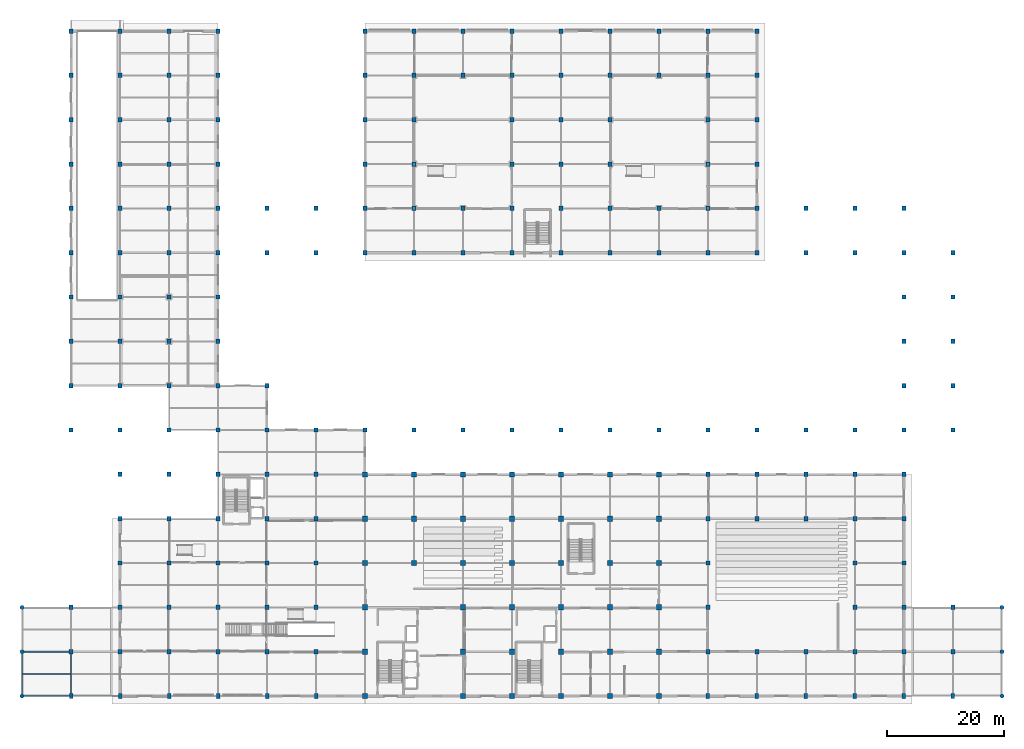
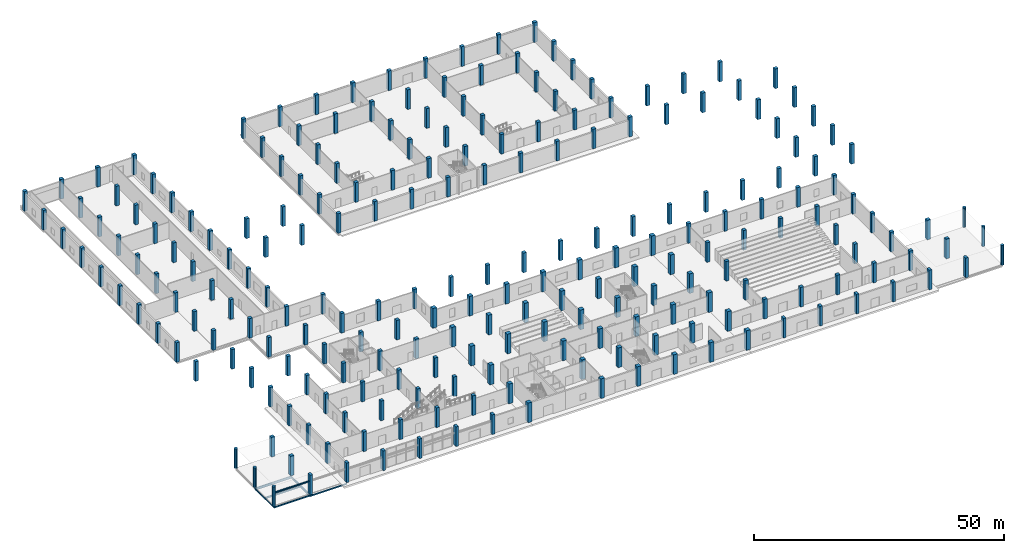
# One storey, part 1 of 36: 230 columns, 7 beams.
"""IFC4 building model written with IfcOpenShell, lengths in metres."""

from ifc_helpers import new_model, si_unit, direction, frame, origin, origin_2d, place, context, subcontext, project, spatial, rectangle, hollow_rectangle, circle, i_section, extrude, material, material_profile, profile_set, type_object, element, save


model = new_model("IFC4")

# Units and contexts
model_context = context("Model", 3, precision=1e-05, world=origin(), true_north=direction((0.0, 1.0)))
body_context = subcontext(model_context, "Body", "Model", "MODEL_VIEW")
ifc_project = project(units=[si_unit("LENGTHUNIT", "METRE"), si_unit("AREAUNIT", "SQUARE_METRE"), si_unit("VOLUMEUNIT", "CUBIC_METRE"), si_unit("PLANEANGLEUNIT", "RADIAN"), si_unit("MASSUNIT", "GRAM", prefix="KILO")], contexts=[model_context])

# Site, building, storey
site_placement = place(None, origin())
site = spatial("IfcSite", under=ifc_project, at=site_placement, CompositionType="ELEMENT")
building_placement = place(site_placement, origin())
building = spatial("IfcBuilding", under=site, at=building_placement, Name="Zuvorla Pavilion Media Centre", CompositionType="ELEMENT")
storey_placement = place(building_placement, origin())
storey = spatial("IfcBuildingStorey", under=building, at=storey_placement, Name="L00", CompositionType="ELEMENT", Elevation=0.0)

# Columns
ifc_material_1 = material(Name="Concrete C40/50", Category="concrete")
ifc_material_profile_1 = material_profile(ifc_material_1, rectangle(XDim=0.60009765625, YDim=0.89990234375, at=origin_2d()), Name="RC 600x900")
ifc_profile_set_1 = profile_set([ifc_material_profile_1], Name="Concrete C40/50")
column_type_1 = type_object("IfcColumnType", Name="COL-PIL600", PredefinedType="PILASTER", material=ifc_profile_set_1)
for number, where, z_axis, x_axis, name in (
    (1, (16.39990234375, 6.0, 0.0), (0.0, 0.0, 1.0), (1.0, 0.0, 0.0), "L00 column C07 4"),
    (2, (24.800048828125, 6.0, 0.0), (0.0, 0.0, 1.0), (1.0, 0.0, 0.0), "L00 column C07 6"),
    (3, (33.199951171875, 6.0, 0.0), (0.0, 0.0, 1.0), (1.0, 0.0, 0.0), "L00 column C07 8"),
    (4, (41.60009765625, 6.0, 0.0), (0.0, 0.0, 1.0), (1.0, 0.0, 0.0), "L00 column C07 11"),
    (5, (50.0, 6.0, 0.0), (0.0, 0.0, 1.0), (1.0, 0.0, 0.0), "L00 column C07 16"),
    (6, (58.39990234375, 6.0, 0.0), (0.0, 0.0, 1.0), (1.0, 0.0, 0.0), "L00 column C07 21"),
    (7, (125.60009765625, 6.0, 0.0), (0.0, 0.0, 1.0), (1.0, 0.0, 0.0), "L00 column C07 71"),
    (8, (134.0, 6.0, 0.0), (0.0, 0.0, 1.0), (1.0, 0.0, 0.0), "L00 column C07 76"),
    (9, (142.39990234375, 6.0, 0.0), (0.0, 0.0, 1.0), (1.0, 0.0, 0.0), "L00 column C07 81"),
    (10, (150.800048828125, 6.0, 0.0), (0.0, 0.0, 1.0), (1.0, 0.0, 0.0), "L00 column C07 86"),
    (11, (159.199951171875, 6.0, 0.0), (0.0, 0.0, 1.0), (1.0, 0.0, 0.0), "L00 column C07 91"),
    (12, (167.60009765625, 6.0, 0.0), (0.0, 0.0, 1.0), (1.0, 0.0, 0.0), "L00 column C07 96"),
):
    element("IfcColumn", number, at=place(storey_placement, frame(where, z_axis=z_axis, x_axis=x_axis)), inside=storey, type_object=column_type_1, Name=name, PredefinedType="PILASTER", context=body_context, shape_type="SweptSolid", body=[
        extrude(rectangle(XDim=0.60009765625, YDim=0.89990234375, at=origin_2d()), origin(), (0.0, 0.0, 1.0), 4.800048828125),
    ])
ifc_material_profile_2 = material_profile(ifc_material_1, rectangle(XDim=0.75, YDim=0.75, at=origin_2d()), Name="RC 750x750")
ifc_profile_set_2 = profile_set([ifc_material_profile_2], Name="Concrete C40/50")
column_type_2 = type_object("IfcColumnType", Name="COL-RC750", PredefinedType="COLUMN", material=ifc_profile_set_2)
for number, where, z_axis, x_axis, name in (
    (13, (16.39990234375, 13.60009765625, 0.0), (0.0, 0.0, 1.0), (1.0, 0.0, 0.0), "L00 column C02 102"),
    (14, (24.800048828125, 13.60009765625, 0.0), (0.0, 0.0, 1.0), (1.0, 0.0, 0.0), "L00 column C02 104"),
    (15, (33.199951171875, 13.60009765625, 0.0), (0.0, 0.0, 1.0), (1.0, 0.0, 0.0), "L00 column C02 106"),
    (16, (41.60009765625, 13.60009765625, 0.0), (0.0, 0.0, 1.0), (1.0, 0.0, 0.0), "L00 column C02 109"),
    (17, (50.0, 13.60009765625, 0.0), (0.0, 0.0, 1.0), (1.0, 0.0, 0.0), "L00 column C02 114"),
    (18, (58.39990234375, 13.60009765625, 0.0), (0.0, 0.0, 1.0), (1.0, 0.0, 0.0), "L00 column C02 119"),
    (19, (125.60009765625, 13.60009765625, 0.0), (0.0, 0.0, 1.0), (1.0, 0.0, 0.0), "L00 column C02 169"),
    (20, (134.0, 13.60009765625, 0.0), (0.0, 0.0, 1.0), (1.0, 0.0, 0.0), "L00 column C02 174"),
    (21, (142.39990234375, 13.60009765625, 0.0), (0.0, 0.0, 1.0), (1.0, 0.0, 0.0), "L00 column C02 179"),
    (22, (150.800048828125, 13.60009765625, 0.0), (0.0, 0.0, 1.0), (1.0, 0.0, 0.0), "L00 column C02 184"),
    (23, (159.199951171875, 13.60009765625, 0.0), (0.0, 0.0, 1.0), (1.0, 0.0, 0.0), "L00 column C02 189"),
    (24, (167.60009765625, 13.60009765625, 0.0), (0.0, 0.0, 1.0), (1.0, 0.0, 0.0), "L00 column C02 194"),
    (25, (16.39990234375, 21.199951171875, 0.0), (0.0, 0.0, 1.0), (1.0, 0.0, 0.0), "L00 column C02 200"),
    (26, (24.800048828125, 21.199951171875, 0.0), (0.0, 0.0, 1.0), (1.0, 0.0, 0.0), "L00 column C02 202"),
    (27, (33.199951171875, 21.199951171875, 0.0), (0.0, 0.0, 1.0), (1.0, 0.0, 0.0), "L00 column C02 204"),
    (28, (41.60009765625, 21.199951171875, 0.0), (0.0, 0.0, 1.0), (1.0, 0.0, 0.0), "L00 column C02 207"),
    (29, (50.0, 21.199951171875, 0.0), (0.0, 0.0, 1.0), (1.0, 0.0, 0.0), "L00 column C02 213"),
    (30, (58.39990234375, 21.199951171875, 0.0), (0.0, 0.0, 1.0), (1.0, 0.0, 0.0), "L00 column C02 219"),
    (31, (125.60009765625, 21.199951171875, 0.0), (0.0, 0.0, 1.0), (1.0, 0.0, 0.0), "L00 column C02 270"),
    (32, (150.800048828125, 21.199951171875, 0.0), (0.0, 0.0, 1.0), (1.0, 0.0, 0.0), "L00 column C02 275"),
    (33, (159.199951171875, 21.199951171875, 0.0), (0.0, 0.0, 1.0), (1.0, 0.0, 0.0), "L00 column C02 280"),
    (34, (167.60009765625, 21.199951171875, 0.0), (0.0, 0.0, 1.0), (1.0, 0.0, 0.0), "L00 column C02 285"),
    (35, (24.800048828125, 28.800048828125, 0.0), (0.0, 0.0, 1.0), (1.0, 0.0, 0.0), "L00 column C02 289"),
    (36, (33.199951171875, 28.800048828125, 0.0), (0.0, 0.0, 1.0), (1.0, 0.0, 0.0), "L00 column C02 291"),
    (37, (41.60009765625, 28.800048828125, 0.0), (0.0, 0.0, 1.0), (1.0, 0.0, 0.0), "L00 column C02 294"),
    (38, (50.0, 28.800048828125, 0.0), (0.0, 0.0, 1.0), (1.0, 0.0, 0.0), "L00 column C02 300"),
    (39, (58.39990234375, 28.800048828125, 0.0), (0.0, 0.0, 1.0), (1.0, 0.0, 0.0), "L00 column C02 306"),
    (40, (125.60009765625, 28.800048828125, 0.0), (0.0, 0.0, 1.0), (1.0, 0.0, 0.0), "L00 column C02 365"),
    (41, (150.800048828125, 28.800048828125, 0.0), (0.0, 0.0, 1.0), (1.0, 0.0, 0.0), "L00 column C02 370"),
    (42, (159.199951171875, 28.800048828125, 0.0), (0.0, 0.0, 1.0), (1.0, 0.0, 0.0), "L00 column C02 375"),
    (43, (24.800048828125, 36.39990234375, 0.0), (0.0, 0.0, 1.0), (1.0, 0.0, 0.0), "L00 column C02 380"),
    (44, (33.199951171875, 36.39990234375, 0.0), (0.0, 0.0, 1.0), (1.0, 0.0, 0.0), "L00 column C02 382"),
    (45, (41.60009765625, 36.39990234375, 0.0), (0.0, 0.0, 1.0), (1.0, 0.0, 0.0), "L00 column C02 384"),
    (46, (50.0, 36.39990234375, 0.0), (0.0, 0.0, 1.0), (1.0, 0.0, 0.0), "L00 column C02 390"),
    (47, (58.39990234375, 36.39990234375, 0.0), (0.0, 0.0, 1.0), (1.0, 0.0, 0.0), "L00 column C02 396"),
    (48, (125.60009765625, 36.39990234375, 0.0), (0.0, 0.0, 1.0), (1.0, 0.0, 0.0), "L00 column C02 455"),
    (49, (134.0, 36.39990234375, 0.0), (0.0, 0.0, 1.0), (1.0, 0.0, 0.0), "L00 column C02 460"),
    (50, (142.39990234375, 36.39990234375, 0.0), (0.0, 0.0, 1.0), (1.0, 0.0, 0.0), "L00 column C02 465"),
    (51, (150.800048828125, 36.39990234375, 0.0), (0.0, 0.0, 1.0), (1.0, 0.0, 0.0), "L00 column C02 470"),
    (52, (159.199951171875, 36.39990234375, 0.0), (0.0, 0.0, 1.0), (1.0, 0.0, 0.0), "L00 column C02 475"),
    (53, (24.800048828125, 44.0, 0.0), (0.0, 0.0, 1.0), (1.0, 0.0, 0.0), "L00 column C02 480"),
    (54, (33.199951171875, 44.0, 0.0), (0.0, 0.0, 1.0), (1.0, 0.0, 0.0), "L00 column C02 485"),
    (55, (41.60009765625, 44.0, 0.0), (0.0, 0.0, 1.0), (1.0, 0.0, 0.0), "L00 column C02 490"),
    (56, (50.0, 44.0, 0.0), (0.0, 0.0, 1.0), (1.0, 0.0, 0.0), "L00 column C02 496"),
    (57, (58.39990234375, 44.0, 0.0), (0.0, 0.0, 1.0), (1.0, 0.0, 0.0), "L00 column C02 502"),
    (58, (125.60009765625, 44.0, 0.0), (0.0, 0.0, 1.0), (1.0, 0.0, 0.0), "L00 column C02 549"),
    (59, (134.0, 44.0, 0.0), (0.0, 0.0, 1.0), (1.0, 0.0, 0.0), "L00 column C02 554"),
    (60, (142.39990234375, 44.0, 0.0), (0.0, 0.0, 1.0), (1.0, 0.0, 0.0), "L00 column C02 559"),
    (61, (150.800048828125, 44.0, 0.0), (0.0, 0.0, 1.0), (1.0, 0.0, 0.0), "L00 column C02 564"),
    (62, (159.199951171875, 44.0, 0.0), (0.0, 0.0, 1.0), (1.0, 0.0, 0.0), "L00 column C02 569"),
    (63, (16.39990234375, 51.60009765625, 0.0), (0.0, 0.0, 1.0), (1.0, 0.0, 0.0), "L00 column C02 574"),
    (64, (24.800048828125, 51.60009765625, 0.0), (0.0, 0.0, 1.0), (1.0, 0.0, 0.0), "L00 column C02 579"),
    (65, (33.199951171875, 51.60009765625, 0.0), (0.0, 0.0, 1.0), (1.0, 0.0, 0.0), "L00 column C02 584"),
    (66, (41.60009765625, 51.60009765625, 0.0), (0.0, 0.0, 1.0), (1.0, 0.0, 0.0), "L00 column C02 589"),
    (67, (50.0, 51.60009765625, 0.0), (0.0, 0.0, 1.0), (1.0, 0.0, 0.0), "L00 column C02 594"),
    (68, (58.39990234375, 51.60009765625, 0.0), (0.0, 0.0, 1.0), (1.0, 0.0, 0.0), "L00 column C02 599"),
    (69, (66.800048828125, 51.60009765625, 0.0), (0.0, 0.0, 1.0), (1.0, 0.0, 0.0), "L00 column C02 604"),
    (70, (75.199951171875, 51.60009765625, 0.0), (0.0, 0.0, 1.0), (1.0, 0.0, 0.0), "L00 column C02 609"),
    (71, (83.60009765625, 51.60009765625, 0.0), (0.0, 0.0, 1.0), (1.0, 0.0, 0.0), "L00 column C02 614"),
    (72, (92.0, 51.60009765625, 0.0), (0.0, 0.0, 1.0), (1.0, 0.0, 0.0), "L00 column C02 619"),
    (73, (100.39990234375, 51.60009765625, 0.0), (0.0, 0.0, 1.0), (1.0, 0.0, 0.0), "L00 column C02 624"),
    (74, (108.800048828125, 51.60009765625, 0.0), (0.0, 0.0, 1.0), (1.0, 0.0, 0.0), "L00 column C02 629"),
    (75, (117.199951171875, 51.60009765625, 0.0), (0.0, 0.0, 1.0), (1.0, 0.0, 0.0), "L00 column C02 634"),
    (76, (125.60009765625, 51.60009765625, 0.0), (0.0, 0.0, 1.0), (1.0, 0.0, 0.0), "L00 column C02 639"),
    (77, (134.0, 51.60009765625, 0.0), (0.0, 0.0, 1.0), (1.0, 0.0, 0.0), "L00 column C02 644"),
    (78, (142.39990234375, 51.60009765625, 0.0), (0.0, 0.0, 1.0), (1.0, 0.0, 0.0), "L00 column C02 649"),
    (79, (150.800048828125, 51.60009765625, 0.0), (0.0, 0.0, 1.0), (1.0, 0.0, 0.0), "L00 column C02 654"),
    (80, (159.199951171875, 51.60009765625, 0.0), (0.0, 0.0, 1.0), (1.0, 0.0, 0.0), "L00 column C02 659"),
    (81, (167.60009765625, 51.60009765625, 0.0), (0.0, 0.0, 1.0), (1.0, 0.0, 0.0), "L00 column C02 664"),
    (82, (16.39990234375, 59.199951171875, 0.0), (0.0, 0.0, 1.0), (1.0, 0.0, 0.0), "L00 column C02 669"),
    (83, (24.800048828125, 59.199951171875, 0.0), (0.0, 0.0, 1.0), (1.0, 0.0, 0.0), "L00 column C02 674"),
    (84, (33.199951171875, 59.199951171875, 0.0), (0.0, 0.0, 1.0), (1.0, 0.0, 0.0), "L00 column C02 679"),
    (85, (41.60009765625, 59.199951171875, 0.0), (0.0, 0.0, 1.0), (1.0, 0.0, 0.0), "L00 column C02 681"),
    (86, (50.0, 59.199951171875, 0.0), (0.0, 0.0, 1.0), (1.0, 0.0, 0.0), "L00 column C02 683"),
    (87, (159.199951171875, 59.199951171875, 0.0), (0.0, 0.0, 1.0), (1.0, 0.0, 0.0), "L00 column C02 685"),
    (88, (167.60009765625, 59.199951171875, 0.0), (0.0, 0.0, 1.0), (1.0, 0.0, 0.0), "L00 column C02 690"),
    (89, (16.39990234375, 66.800048828125, 0.0), (0.0, 0.0, 1.0), (1.0, 0.0, 0.0), "L00 column C02 695"),
    (90, (24.800048828125, 66.800048828125, 0.0), (0.0, 0.0, 1.0), (1.0, 0.0, 0.0), "L00 column C02 700"),
    (91, (33.199951171875, 66.800048828125, 0.0), (0.0, 0.0, 1.0), (1.0, 0.0, 0.0), "L00 column C02 705"),
    (92, (41.60009765625, 66.800048828125, 0.0), (0.0, 0.0, 1.0), (1.0, 0.0, 0.0), "L00 column C02 707"),
    (93, (159.199951171875, 66.800048828125, 0.0), (0.0, 0.0, 1.0), (1.0, 0.0, 0.0), "L00 column C02 709"),
    (94, (167.60009765625, 66.800048828125, 0.0), (0.0, 0.0, 1.0), (1.0, 0.0, 0.0), "L00 column C02 714"),
    (95, (16.39990234375, 74.39990234375, 0.0), (0.0, 0.0, 1.0), (1.0, 0.0, 0.0), "L00 column C02 719"),
    (96, (24.800048828125, 74.39990234375, 0.0), (0.0, 0.0, 1.0), (1.0, 0.0, 0.0), "L00 column C02 724"),
    (97, (33.199951171875, 74.39990234375, 0.0), (0.0, 0.0, 1.0), (1.0, 0.0, 0.0), "L00 column C02 729"),
    (98, (41.60009765625, 74.39990234375, 0.0), (0.0, 0.0, 1.0), (1.0, 0.0, 0.0), "L00 column C02 731"),
    (99, (159.199951171875, 74.39990234375, 0.0), (0.0, 0.0, 1.0), (1.0, 0.0, 0.0), "L00 column C02 733"),
    (100, (167.60009765625, 74.39990234375, 0.0), (0.0, 0.0, 1.0), (1.0, 0.0, 0.0), "L00 column C02 738"),
    (101, (16.39990234375, 82.0, 0.0), (0.0, 0.0, 1.0), (1.0, 0.0, 0.0), "L00 column C02 743"),
    (102, (24.800048828125, 82.0, 0.0), (0.0, 0.0, 1.0), (1.0, 0.0, 0.0), "L00 column C02 748"),
    (103, (33.199951171875, 82.0, 0.0), (0.0, 0.0, 1.0), (1.0, 0.0, 0.0), "L00 column C02 753"),
    (104, (41.60009765625, 82.0, 0.0), (0.0, 0.0, 1.0), (1.0, 0.0, 0.0), "L00 column C02 758"),
    (105, (50.0, 82.0, 0.0), (0.0, 0.0, 1.0), (1.0, 0.0, 0.0), "L00 column C02 763"),
    (106, (58.39990234375, 82.0, 0.0), (0.0, 0.0, 1.0), (1.0, 0.0, 0.0), "L00 column C02 768"),
    (107, (66.800048828125, 82.0, 0.0), (0.0, 0.0, 1.0), (1.0, 0.0, 0.0), "L00 column C02 773"),
    (108, (75.199951171875, 82.0, 0.0), (0.0, 0.0, 1.0), (1.0, 0.0, 0.0), "L00 column C02 778"),
    (109, (83.60009765625, 82.0, 0.0), (0.0, 0.0, 1.0), (1.0, 0.0, 0.0), "L00 column C02 783"),
    (110, (92.0, 82.0, 0.0), (0.0, 0.0, 1.0), (1.0, 0.0, 0.0), "L00 column C02 788"),
    (111, (100.39990234375, 82.0, 0.0), (0.0, 0.0, 1.0), (1.0, 0.0, 0.0), "L00 column C02 793"),
    (112, (108.800048828125, 82.0, 0.0), (0.0, 0.0, 1.0), (1.0, 0.0, 0.0), "L00 column C02 798"),
    (113, (117.199951171875, 82.0, 0.0), (0.0, 0.0, 1.0), (1.0, 0.0, 0.0), "L00 column C02 803"),
    (114, (125.60009765625, 82.0, 0.0), (0.0, 0.0, 1.0), (1.0, 0.0, 0.0), "L00 column C02 808"),
    (115, (134.0, 82.0, 0.0), (0.0, 0.0, 1.0), (1.0, 0.0, 0.0), "L00 column C02 813"),
    (116, (142.39990234375, 82.0, 0.0), (0.0, 0.0, 1.0), (1.0, 0.0, 0.0), "L00 column C02 818"),
    (117, (150.800048828125, 82.0, 0.0), (0.0, 0.0, 1.0), (1.0, 0.0, 0.0), "L00 column C02 823"),
    (118, (159.199951171875, 82.0, 0.0), (0.0, 0.0, 1.0), (1.0, 0.0, 0.0), "L00 column C02 828"),
    (119, (167.60009765625, 82.0, 0.0), (0.0, 0.0, 1.0), (1.0, 0.0, 0.0), "L00 column C02 833"),
    (120, (16.39990234375, 89.60009765625, 0.0), (0.0, 0.0, 1.0), (1.0, 0.0, 0.0), "L00 column C02 838"),
    (121, (24.800048828125, 89.60009765625, 0.0), (0.0, 0.0, 1.0), (1.0, 0.0, 0.0), "L00 column C02 840"),
    (122, (33.199951171875, 89.60009765625, 0.0), (0.0, 0.0, 1.0), (1.0, 0.0, 0.0), "L00 column C02 845"),
    (123, (41.60009765625, 89.60009765625, 0.0), (0.0, 0.0, 1.0), (1.0, 0.0, 0.0), "L00 column C02 850"),
    (124, (50.0, 89.60009765625, 0.0), (0.0, 0.0, 1.0), (1.0, 0.0, 0.0), "L00 column C02 855"),
    (125, (58.39990234375, 89.60009765625, 0.0), (0.0, 0.0, 1.0), (1.0, 0.0, 0.0), "L00 column C02 860"),
    (126, (66.800048828125, 89.60009765625, 0.0), (0.0, 0.0, 1.0), (1.0, 0.0, 0.0), "L00 column C02 865"),
    (127, (75.199951171875, 89.60009765625, 0.0), (0.0, 0.0, 1.0), (1.0, 0.0, 0.0), "L00 column C02 870"),
    (128, (83.60009765625, 89.60009765625, 0.0), (0.0, 0.0, 1.0), (1.0, 0.0, 0.0), "L00 column C02 875"),
    (129, (92.0, 89.60009765625, 0.0), (0.0, 0.0, 1.0), (1.0, 0.0, 0.0), "L00 column C02 880"),
    (130, (100.39990234375, 89.60009765625, 0.0), (0.0, 0.0, 1.0), (1.0, 0.0, 0.0), "L00 column C02 885"),
    (131, (108.800048828125, 89.60009765625, 0.0), (0.0, 0.0, 1.0), (1.0, 0.0, 0.0), "L00 column C02 890"),
    (132, (117.199951171875, 89.60009765625, 0.0), (0.0, 0.0, 1.0), (1.0, 0.0, 0.0), "L00 column C02 895"),
    (133, (125.60009765625, 89.60009765625, 0.0), (0.0, 0.0, 1.0), (1.0, 0.0, 0.0), "L00 column C02 900"),
    (134, (134.0, 89.60009765625, 0.0), (0.0, 0.0, 1.0), (1.0, 0.0, 0.0), "L00 column C02 905"),
    (135, (142.39990234375, 89.60009765625, 0.0), (0.0, 0.0, 1.0), (1.0, 0.0, 0.0), "L00 column C02 910"),
    (136, (150.800048828125, 89.60009765625, 0.0), (0.0, 0.0, 1.0), (1.0, 0.0, 0.0), "L00 column C02 915"),
    (137, (159.199951171875, 89.60009765625, 0.0), (0.0, 0.0, 1.0), (1.0, 0.0, 0.0), "L00 column C02 920"),
    (138, (16.39990234375, 97.199951171875, 0.0), (0.0, 0.0, 1.0), (1.0, 0.0, 0.0), "L00 column C02 925"),
    (139, (24.800048828125, 97.199951171875, 0.0), (0.0, 0.0, 1.0), (1.0, 0.0, 0.0), "L00 column C02 927"),
    (140, (33.199951171875, 97.199951171875, 0.0), (0.0, 0.0, 1.0), (1.0, 0.0, 0.0), "L00 column C02 929"),
    (141, (41.60009765625, 97.199951171875, 0.0), (0.0, 0.0, 1.0), (1.0, 0.0, 0.0), "L00 column C02 931"),
    (142, (66.800048828125, 97.199951171875, 0.0), (0.0, 0.0, 1.0), (1.0, 0.0, 0.0), "L00 column C02 933"),
    (143, (75.199951171875, 97.199951171875, 0.0), (0.0, 0.0, 1.0), (1.0, 0.0, 0.0), "L00 column C02 936"),
    (144, (92.0, 97.199951171875, 0.0), (0.0, 0.0, 1.0), (1.0, 0.0, 0.0), "L00 column C02 939"),
    (145, (100.39990234375, 97.199951171875, 0.0), (0.0, 0.0, 1.0), (1.0, 0.0, 0.0), "L00 column C02 942"),
    (146, (108.800048828125, 97.199951171875, 0.0), (0.0, 0.0, 1.0), (1.0, 0.0, 0.0), "L00 column C02 945"),
    (147, (125.60009765625, 97.199951171875, 0.0), (0.0, 0.0, 1.0), (1.0, 0.0, 0.0), "L00 column C02 948"),
    (148, (134.0, 97.199951171875, 0.0), (0.0, 0.0, 1.0), (1.0, 0.0, 0.0), "L00 column C02 951"),
    (149, (16.39990234375, 104.800048828125, 0.0), (0.0, 0.0, 1.0), (1.0, 0.0, 0.0), "L00 column C02 954"),
    (150, (24.800048828125, 104.800048828125, 0.0), (0.0, 0.0, 1.0), (1.0, 0.0, 0.0), "L00 column C02 956"),
    (151, (33.199951171875, 104.800048828125, 0.0), (0.0, 0.0, 1.0), (1.0, 0.0, 0.0), "L00 column C02 958"),
    (152, (41.60009765625, 104.800048828125, 0.0), (0.0, 0.0, 1.0), (1.0, 0.0, 0.0), "L00 column C02 960"),
    (153, (66.800048828125, 104.800048828125, 0.0), (0.0, 0.0, 1.0), (1.0, 0.0, 0.0), "L00 column C02 962"),
    (154, (75.199951171875, 104.800048828125, 0.0), (0.0, 0.0, 1.0), (1.0, 0.0, 0.0), "L00 column C02 965"),
    (155, (92.0, 104.800048828125, 0.0), (0.0, 0.0, 1.0), (1.0, 0.0, 0.0), "L00 column C02 968"),
    (156, (100.39990234375, 104.800048828125, 0.0), (0.0, 0.0, 1.0), (1.0, 0.0, 0.0), "L00 column C02 971"),
    (157, (108.800048828125, 104.800048828125, 0.0), (0.0, 0.0, 1.0), (1.0, 0.0, 0.0), "L00 column C02 974"),
    (158, (125.60009765625, 104.800048828125, 0.0), (0.0, 0.0, 1.0), (1.0, 0.0, 0.0), "L00 column C02 977"),
    (159, (134.0, 104.800048828125, 0.0), (0.0, 0.0, 1.0), (1.0, 0.0, 0.0), "L00 column C02 980"),
    (160, (16.39990234375, 112.39990234375, 0.0), (0.0, 0.0, 1.0), (1.0, 0.0, 0.0), "L00 column C02 983"),
    (161, (24.800048828125, 112.39990234375, 0.0), (0.0, 0.0, 1.0), (1.0, 0.0, 0.0), "L00 column C02 985"),
    (162, (33.199951171875, 112.39990234375, 0.0), (0.0, 0.0, 1.0), (1.0, 0.0, 0.0), "L00 column C02 987"),
    (163, (41.60009765625, 112.39990234375, 0.0), (0.0, 0.0, 1.0), (1.0, 0.0, 0.0), "L00 column C02 989"),
    (164, (66.800048828125, 112.39990234375, 0.0), (0.0, 0.0, 1.0), (1.0, 0.0, 0.0), "L00 column C02 991"),
    (165, (75.199951171875, 112.39990234375, 0.0), (0.0, 0.0, 1.0), (1.0, 0.0, 0.0), "L00 column C02 994"),
    (166, (83.60009765625, 112.39990234375, 0.0), (0.0, 0.0, 1.0), (1.0, 0.0, 0.0), "L00 column C02 997"),
    (167, (92.0, 112.39990234375, 0.0), (0.0, 0.0, 1.0), (1.0, 0.0, 0.0), "L00 column C02 1000"),
    (168, (100.39990234375, 112.39990234375, 0.0), (0.0, 0.0, 1.0), (1.0, 0.0, 0.0), "L00 column C02 1003"),
    (169, (108.800048828125, 112.39990234375, 0.0), (0.0, 0.0, 1.0), (1.0, 0.0, 0.0), "L00 column C02 1006"),
    (170, (117.199951171875, 112.39990234375, 0.0), (0.0, 0.0, 1.0), (1.0, 0.0, 0.0), "L00 column C02 1009"),
    (171, (125.60009765625, 112.39990234375, 0.0), (0.0, 0.0, 1.0), (1.0, 0.0, 0.0), "L00 column C02 1012"),
    (172, (134.0, 112.39990234375, 0.0), (0.0, 0.0, 1.0), (1.0, 0.0, 0.0), "L00 column C02 1015"),
    (173, (16.39990234375, 120.0, 0.0), (0.0, 0.0, 1.0), (1.0, 0.0, 0.0), "L00 column C02 1018"),
    (174, (24.800048828125, 120.0, 0.0), (0.0, 0.0, 1.0), (1.0, 0.0, 0.0), "L00 column C02 1020"),
    (175, (33.199951171875, 120.0, 0.0), (0.0, 0.0, 1.0), (1.0, 0.0, 0.0), "L00 column C02 1022"),
    (176, (41.60009765625, 120.0, 0.0), (0.0, 0.0, 1.0), (1.0, 0.0, 0.0), "L00 column C02 1024"),
    (177, (66.800048828125, 120.0, 0.0), (0.0, 0.0, 1.0), (1.0, 0.0, 0.0), "L00 column C02 1026"),
    (178, (75.199951171875, 120.0, 0.0), (0.0, 0.0, 1.0), (1.0, 0.0, 0.0), "L00 column C02 1029"),
    (179, (83.60009765625, 120.0, 0.0), (0.0, 0.0, 1.0), (1.0, 0.0, 0.0), "L00 column C02 1032"),
    (180, (92.0, 120.0, 0.0), (0.0, 0.0, 1.0), (1.0, 0.0, 0.0), "L00 column C02 1035"),
    (181, (100.39990234375, 120.0, 0.0), (0.0, 0.0, 1.0), (1.0, 0.0, 0.0), "L00 column C02 1038"),
    (182, (108.800048828125, 120.0, 0.0), (0.0, 0.0, 1.0), (1.0, 0.0, 0.0), "L00 column C02 1041"),
    (183, (117.199951171875, 120.0, 0.0), (0.0, 0.0, 1.0), (1.0, 0.0, 0.0), "L00 column C02 1044"),
    (184, (125.60009765625, 120.0, 0.0), (0.0, 0.0, 1.0), (1.0, 0.0, 0.0), "L00 column C02 1047"),
    (185, (134.0, 120.0, 0.0), (0.0, 0.0, 1.0), (1.0, 0.0, 0.0), "L00 column C02 1050"),
):
    element("IfcColumn", number, at=place(storey_placement, frame(where, z_axis=z_axis, x_axis=x_axis)), inside=storey, type_object=column_type_2, Name=name, PredefinedType="COLUMN", context=body_context, shape_type="SweptSolid", body=[
        extrude(rectangle(XDim=0.75, YDim=0.75, at=origin_2d()), origin(), (0.0, 0.0, 1.0), 4.800048828125),
    ])
ifc_material_profile_3 = material_profile(ifc_material_1, rectangle(XDim=0.89990234375, YDim=0.89990234375, at=origin_2d()), Name="RC 900x900")
ifc_profile_set_3 = profile_set([ifc_material_profile_3], Name="Concrete C40/50")
column_type_3 = type_object("IfcColumnType", Name="COL-RC900", PredefinedType="COLUMN", material=ifc_profile_set_3)
for number, where, z_axis, x_axis, name in (
    (186, (66.800048828125, 6.0, 0.0), (0.0, 0.0, 1.0), (1.0, 0.0, 0.0), "L00 column C01 26"),
    (187, (83.60009765625, 6.0, 0.0), (0.0, 0.0, 1.0), (1.0, 0.0, 0.0), "L00 column C01 34"),
    (188, (92.0, 6.0, 0.0), (0.0, 0.0, 1.0), (1.0, 0.0, 0.0), "L00 column C01 42"),
    (189, (100.39990234375, 6.0, 0.0), (0.0, 0.0, 1.0), (1.0, 0.0, 0.0), "L00 column C01 50"),
    (190, (108.800048828125, 6.0, 0.0), (0.0, 0.0, 1.0), (1.0, 0.0, 0.0), "L00 column C01 58"),
    (191, (117.199951171875, 6.0, 0.0), (0.0, 0.0, 1.0), (1.0, 0.0, 0.0), "L00 column C01 66"),
    (192, (66.800048828125, 13.60009765625, 0.0), (0.0, 0.0, 1.0), (1.0, 0.0, 0.0), "L00 column C01 124"),
    (193, (83.60009765625, 13.60009765625, 0.0), (0.0, 0.0, 1.0), (1.0, 0.0, 0.0), "L00 column C01 132"),
    (194, (92.0, 13.60009765625, 0.0), (0.0, 0.0, 1.0), (1.0, 0.0, 0.0), "L00 column C01 140"),
    (195, (100.39990234375, 13.60009765625, 0.0), (0.0, 0.0, 1.0), (1.0, 0.0, 0.0), "L00 column C01 148"),
    (196, (108.800048828125, 13.60009765625, 0.0), (0.0, 0.0, 1.0), (1.0, 0.0, 0.0), "L00 column C01 156"),
    (197, (117.199951171875, 13.60009765625, 0.0), (0.0, 0.0, 1.0), (1.0, 0.0, 0.0), "L00 column C01 164"),
    (198, (66.800048828125, 21.199951171875, 0.0), (0.0, 0.0, 1.0), (1.0, 0.0, 0.0), "L00 column C01 225"),
    (199, (83.60009765625, 21.199951171875, 0.0), (0.0, 0.0, 1.0), (1.0, 0.0, 0.0), "L00 column C01 233"),
    (200, (92.0, 21.199951171875, 0.0), (0.0, 0.0, 1.0), (1.0, 0.0, 0.0), "L00 column C01 241"),
    (201, (100.39990234375, 21.199951171875, 0.0), (0.0, 0.0, 1.0), (1.0, 0.0, 0.0), "L00 column C01 249"),
    (202, (108.800048828125, 21.199951171875, 0.0), (0.0, 0.0, 1.0), (1.0, 0.0, 0.0), "L00 column C01 257"),
    (203, (117.199951171875, 21.199951171875, 0.0), (0.0, 0.0, 1.0), (1.0, 0.0, 0.0), "L00 column C01 265"),
    (204, (66.800048828125, 28.800048828125, 0.0), (0.0, 0.0, 1.0), (1.0, 0.0, 0.0), "L00 column C01 312"),
    (205, (75.199951171875, 28.800048828125, 0.0), (0.0, 0.0, 1.0), (1.0, 0.0, 0.0), "L00 column C01 320"),
    (206, (83.60009765625, 28.800048828125, 0.0), (0.0, 0.0, 1.0), (1.0, 0.0, 0.0), "L00 column C01 328"),
    (207, (92.0, 28.800048828125, 0.0), (0.0, 0.0, 1.0), (1.0, 0.0, 0.0), "L00 column C01 336"),
    (208, (100.39990234375, 28.800048828125, 0.0), (0.0, 0.0, 1.0), (1.0, 0.0, 0.0), "L00 column C01 344"),
    (209, (108.800048828125, 28.800048828125, 0.0), (0.0, 0.0, 1.0), (1.0, 0.0, 0.0), "L00 column C01 352"),
    (210, (117.199951171875, 28.800048828125, 0.0), (0.0, 0.0, 1.0), (1.0, 0.0, 0.0), "L00 column C01 360"),
    (211, (66.800048828125, 36.39990234375, 0.0), (0.0, 0.0, 1.0), (1.0, 0.0, 0.0), "L00 column C01 402"),
    (212, (75.199951171875, 36.39990234375, 0.0), (0.0, 0.0, 1.0), (1.0, 0.0, 0.0), "L00 column C01 410"),
    (213, (83.60009765625, 36.39990234375, 0.0), (0.0, 0.0, 1.0), (1.0, 0.0, 0.0), "L00 column C01 418"),
    (214, (92.0, 36.39990234375, 0.0), (0.0, 0.0, 1.0), (1.0, 0.0, 0.0), "L00 column C01 426"),
    (215, (100.39990234375, 36.39990234375, 0.0), (0.0, 0.0, 1.0), (1.0, 0.0, 0.0), "L00 column C01 434"),
    (216, (108.800048828125, 36.39990234375, 0.0), (0.0, 0.0, 1.0), (1.0, 0.0, 0.0), "L00 column C01 442"),
    (217, (117.199951171875, 36.39990234375, 0.0), (0.0, 0.0, 1.0), (1.0, 0.0, 0.0), "L00 column C01 450"),
    (218, (66.800048828125, 44.0, 0.0), (0.0, 0.0, 1.0), (1.0, 0.0, 0.0), "L00 column C01 508"),
    (219, (75.199951171875, 44.0, 0.0), (0.0, 0.0, 1.0), (1.0, 0.0, 0.0), "L00 column C01 514"),
    (220, (83.60009765625, 44.0, 0.0), (0.0, 0.0, 1.0), (1.0, 0.0, 0.0), "L00 column C01 520"),
    (221, (92.0, 44.0, 0.0), (0.0, 0.0, 1.0), (1.0, 0.0, 0.0), "L00 column C01 526"),
    (222, (100.39990234375, 44.0, 0.0), (0.0, 0.0, 1.0), (1.0, 0.0, 0.0), "L00 column C01 532"),
    (223, (108.800048828125, 44.0, 0.0), (0.0, 0.0, 1.0), (1.0, 0.0, 0.0), "L00 column C01 538"),
    (224, (117.199951171875, 44.0, 0.0), (0.0, 0.0, 1.0), (1.0, 0.0, 0.0), "L00 column C01 544"),
):
    element("IfcColumn", number, at=place(storey_placement, frame(where, z_axis=z_axis, x_axis=x_axis)), inside=storey, type_object=column_type_3, Name=name, PredefinedType="COLUMN", context=body_context, shape_type="SweptSolid", body=[
        extrude(rectangle(XDim=0.89990234375, YDim=0.89990234375, at=origin_2d()), origin(), (0.0, 0.0, 1.0), 4.800048828125),
    ])
ifc_material_profile_4 = material_profile(ifc_material_1, circle(Radius=0.35009765625, at=origin_2d()), Name="RC D700")
ifc_profile_set_4 = profile_set([ifc_material_profile_4], Name="Concrete C40/50")
column_type_4 = type_object("IfcColumnType", Name="COL-RCD700", PredefinedType="COLUMN", material=ifc_profile_set_4)
for number, where, z_axis, x_axis, name in (
    (225, (8.0, 6.0, 0.0), (0.0, 0.0, 1.0), (1.0, 0.0, 0.0), "L00 column C06 2"),
    (226, (176.0, 6.0, 0.0), (0.0, 0.0, 1.0), (1.0, 0.0, 0.0), "L00 column C06 98"),
    (227, (8.0, 13.60009765625, 0.0), (0.0, 0.0, 1.0), (1.0, 0.0, 0.0), "L00 column C06 100"),
    (228, (176.0, 13.60009765625, 0.0), (0.0, 0.0, 1.0), (1.0, 0.0, 0.0), "L00 column C06 196"),
    (229, (8.0, 21.199951171875, 0.0), (0.0, 0.0, 1.0), (1.0, 0.0, 0.0), "L00 column C06 198"),
    (230, (176.0, 21.199951171875, 0.0), (0.0, 0.0, 1.0), (1.0, 0.0, 0.0), "L00 column C06 287"),
):
    element("IfcColumn", number, at=place(storey_placement, frame(where, z_axis=z_axis, x_axis=x_axis)), inside=storey, type_object=column_type_4, Name=name, PredefinedType="COLUMN", context=body_context, shape_type="SweptSolid", body=[
        extrude(circle(Radius=0.35009765625, at=origin_2d()), origin(), (0.0, 0.0, 1.0), 4.800048828125),
    ])

# Beams
ifc_material_2 = material(Name="Steel S355", Category="steel")
ifc_material_profile_5 = material_profile(ifc_material_2, hollow_rectangle(XDim=0.14990234375, YDim=0.25, WallThickness=0.010009765625, at=origin_2d()), Name="RHS 250x150x10")
ifc_profile_set_5 = profile_set([ifc_material_profile_5], Name="Steel S355")
beam_type_1 = type_object("IfcBeamType", Name="BM-SP-RHS250", PredefinedType="SPANDREL", material=ifc_profile_set_5)
beam_1_placement = place(storey_placement, frame((8.0, 6.0, -0.452880859375), z_axis=(0.0, 1.0, 0.0), x_axis=(-1.0, 0.0, 0.0)))
element("IfcBeam", 231, at=beam_1_placement, inside=storey, type_object=beam_type_1, Name="L00 spandrel SP02 159", PredefinedType="SPANDREL", context=body_context, shape_type="SweptSolid", body=[
    extrude(hollow_rectangle(XDim=0.14990234375, YDim=0.25, WallThickness=0.010009765625, at=origin_2d()), origin(), (0.0, 0.0, 1.0), 7.60009765625),
])
ifc_material_profile_6 = material_profile(ifc_material_2, hollow_rectangle(XDim=0.199951171875, YDim=0.300048828125, WallThickness=0.012451171875, at=origin_2d()), Name="RHS 300x200x12.5")
ifc_profile_set_6 = profile_set([ifc_material_profile_6], Name="Steel S355")
beam_type_2 = type_object("IfcBeamType", Name="BM-SP-RHS300", PredefinedType="SPANDREL", material=ifc_profile_set_6)
beam_2_placement = place(storey_placement, frame((8.0, 6.0, -0.47802734375), z_axis=(1.0, 0.0, 0.0), x_axis=(0.0, 1.0, 0.0)))
element("IfcBeam", 232, at=beam_2_placement, inside=storey, type_object=beam_type_2, Name="L00 spandrel SP01 1", PredefinedType="SPANDREL", context=body_context, shape_type="SweptSolid", body=[
    extrude(hollow_rectangle(XDim=0.199951171875, YDim=0.300048828125, WallThickness=0.012451171875, at=origin_2d()), origin(), (0.0, 0.0, 1.0), 8.39990234375),
])
beam_3_placement = place(storey_placement, frame((16.39990234375, 6.0, -0.577880859375), z_axis=(1.0, 0.0, 0.0), x_axis=(0.0, 1.0, 0.0)))
element("IfcBeam", 233, at=beam_3_placement, inside=storey, type_object=beam_type_2, Name="L00 spandrel SP01 2", PredefinedType="SPANDREL", context=body_context, shape_type="SweptSolid", body=[
    extrude(hollow_rectangle(XDim=0.199951171875, YDim=0.300048828125, WallThickness=0.012451171875, at=origin_2d()), origin(), (0.0, 0.0, 1.0), 8.400146484375),
])
ifc_material_profile_7 = material_profile(ifc_material_2, i_section(OverallWidth=0.146484375, OverallDepth=0.256103515625, WebThickness=0.00634765625, FlangeThickness=0.010986328125, FilletRadius=0.007568359375, at=origin_2d()), Name="UB 254x146x37")
ifc_profile_set_7 = profile_set([ifc_material_profile_7], Name="Steel S355")
beam_type_3 = type_object("IfcBeamType", Name="BM-UB254", PredefinedType="LINTEL", material=ifc_profile_set_7)
beam_4_placement = place(storey_placement, frame((8.0, 6.0, 3.10009765625), z_axis=(1.0, 0.0, 0.0), x_axis=(0.0, 1.0, 0.0)))
element("IfcBeam", 234, at=beam_4_placement, inside=storey, type_object=beam_type_3, Name="L00 lintel LN01 1751", PredefinedType="LINTEL", context=body_context, shape_type="SweptSolid", body=[
    extrude(i_section(OverallWidth=0.146484375, OverallDepth=0.256103515625, WebThickness=0.00634765625, FlangeThickness=0.010986328125, FilletRadius=0.007568359375, at=origin_2d()), origin(), (0.0, 0.0, 1.0), 8.39990234375),
])
ifc_material_profile_8 = material_profile(ifc_material_2, i_section(OverallWidth=0.1787109375, OverallDepth=0.409423828125, WebThickness=0.0087890625, FlangeThickness=0.014404296875, FilletRadius=0.01025390625, at=origin_2d()), Name="UB 406x178x67")
ifc_profile_set_8 = profile_set([ifc_material_profile_8], Name="Steel S355")
beam_type_4 = type_object("IfcBeamType", Name="BM-UB406", PredefinedType="JOIST", material=ifc_profile_set_8)
beam_5_placement = place(storey_placement, frame((8.080078125, 9.800048828125, -0.53271484375), z_axis=(1.0, 0.0, 0.0), x_axis=(0.0, 1.0, 0.0)))
element("IfcBeam", 235, at=beam_5_placement, inside=storey, type_object=beam_type_4, Name="L00 joist J02 317", PredefinedType="JOIST", context=body_context, shape_type="SweptSolid", body=[
    extrude(i_section(OverallWidth=0.1787109375, OverallDepth=0.409423828125, WebThickness=0.0087890625, FlangeThickness=0.014404296875, FilletRadius=0.01025390625, at=origin_2d()), origin(), (0.0, 0.0, 1.0), 8.219970703125),
])
ifc_material_profile_9 = material_profile(ifc_material_2, i_section(OverallWidth=0.2099609375, OverallDepth=0.53662109375, WebThickness=0.0107421875, FlangeThickness=0.017333984375, FilletRadius=0.0126953125, at=origin_2d()), Name="UB 533x210x101")
ifc_profile_set_9 = profile_set([ifc_material_profile_9], Name="Steel S355")
beam_type_5 = type_object("IfcBeamType", Name="BM-UB533", PredefinedType="BEAM", material=ifc_profile_set_9)
beam_6_placement = place(storey_placement, frame((8.0, 13.60009765625, -0.59619140625), z_axis=(1.0, 0.0, 0.0), x_axis=(0.0, 1.0, 0.0)))
element("IfcBeam", 236, at=beam_6_placement, inside=storey, type_object=beam_type_5, Name="L00 beam B08 18", PredefinedType="BEAM", context=body_context, shape_type="SweptSolid", body=[
    extrude(i_section(OverallWidth=0.2099609375, OverallDepth=0.53662109375, WebThickness=0.0107421875, FlangeThickness=0.017333984375, FilletRadius=0.0126953125, at=origin_2d()), origin(), (0.0, 0.0, 1.0), 8.39990234375),
])
beam_7_placement = place(storey_placement, frame((16.39990234375, 6.0, -0.59619140625), z_axis=(0.0, 1.0, 0.0), x_axis=(-1.0, 0.0, 0.0)))
element("IfcBeam", 237, at=beam_7_placement, inside=storey, type_object=beam_type_5, Name="L00 beam B08 161", PredefinedType="BEAM", context=body_context, shape_type="SweptSolid", body=[
    extrude(i_section(OverallWidth=0.2099609375, OverallDepth=0.53662109375, WebThickness=0.0107421875, FlangeThickness=0.017333984375, FilletRadius=0.0126953125, at=origin_2d()), origin(), (0.0, 0.0, 1.0), 7.60009765625),
])

save(model, "model.ifc")
